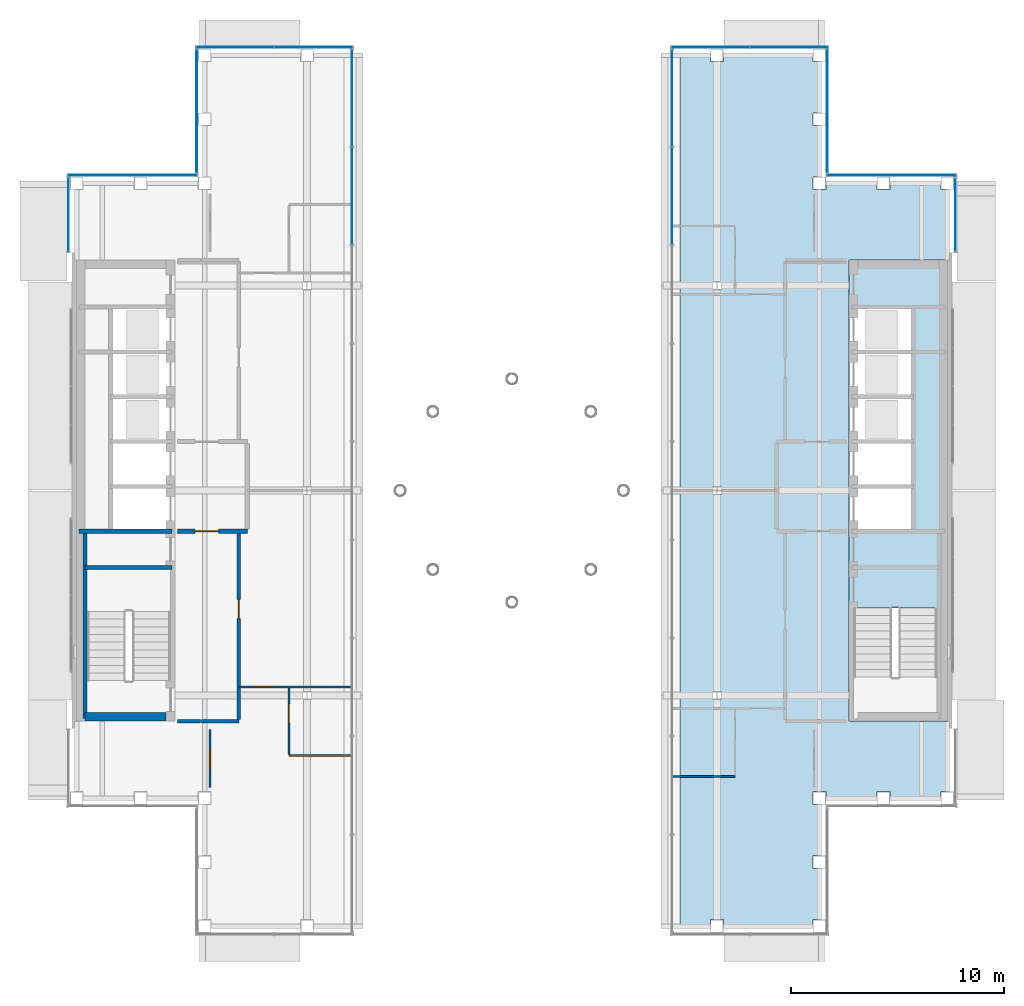
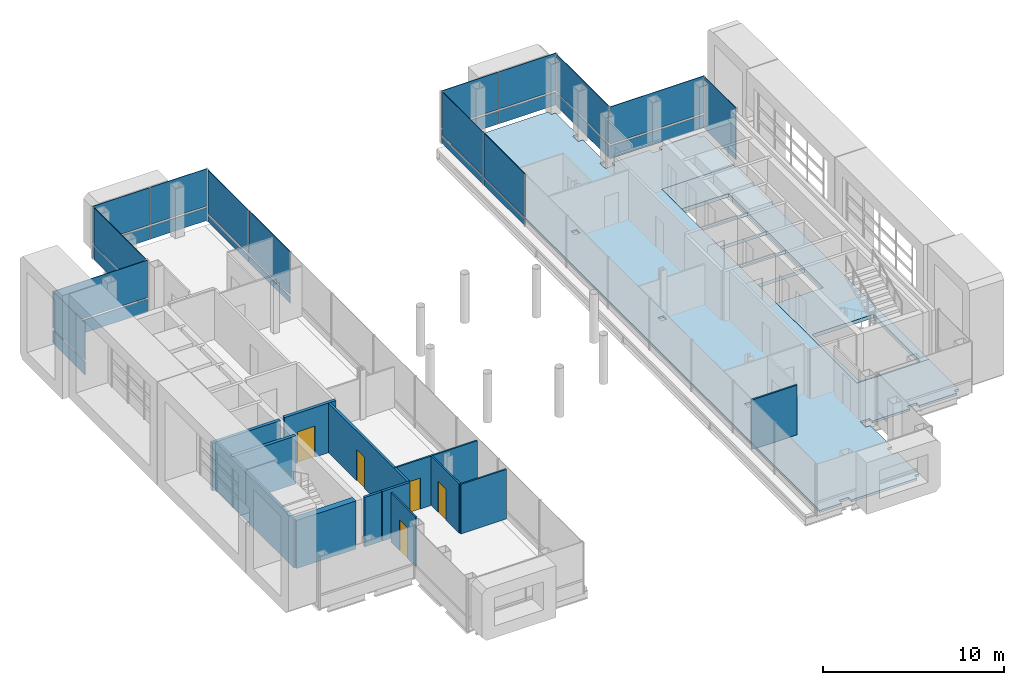
# One storey, part 10 of 21: 27 plates, 13 walls, 5 doors, 2 slabs, 5 openings, 10 elements without a shape of their own.
"""IFC4 building model written with IfcOpenShell, lengths in metres."""

import ifcopenshell
import ifcopenshell.guid

model = None  # the IFC model being written
_history = None  # IfcOwnerHistory: only IFC2X3 demands one
_inside = {}  # id of a spatial element -> (the spatial element, [elements in it])
_under = {}  # id of a project, library or spatial element -> (it, [spatial elements below it])
_declared = {}  # id of a project -> (the project, [libraries it declares])
_typed = {}  # id of a type object -> (the type object, [elements of that type])
_made_of = {}  # id of a material, layer set ... -> (it, [elements and type objects made of it])


def new_model(schema):
    """Start an empty IFC model of exactly this schema.

    Asked for "IFC4X3", IfcOpenShell would pick the latest addendum, in which some entities
    have other attributes; the version numbers below select the first issue.
    IFC2X3 requires an IfcOwnerHistory on every rooted entity: one is made here for all.
    """
    global model, _history
    if schema == "IFC4X3":
        model = ifcopenshell.file(schema_version=(4, 3, 0, 0))
    else:
        model = ifcopenshell.file(schema=schema)
    _inside.clear()
    _under.clear()
    _declared.clear()
    _typed.clear()
    _made_of.clear()
    _history = None
    if model.schema == "IFC2X3":
        org = make("IfcOrganization", Name="unknown")
        user = make(
            "IfcPersonAndOrganization",
            ThePerson=make("IfcPerson", FamilyName="unknown"),
            TheOrganization=org,
        )
        app = make(
            "IfcApplication",
            ApplicationDeveloper=org,
            Version="unknown",
            ApplicationFullName="unknown",
            ApplicationIdentifier="unknown",
        )
        _history = make(
            "IfcOwnerHistory",
            OwningUser=user,
            OwningApplication=app,
            ChangeAction="ADDED",
            CreationDate=0,
        )
    return model


def make(cls, **values):
    """One entity of the class cls with the attributes given. An attribute that is None is left unset."""
    return model.create_entity(
        cls, **{name: value for name, value in values.items() if value is not None}
    )


def rooted(cls, **values):
    """An entity with a GlobalId (a new one), such as an element, a storey or a relation."""
    return make(cls, GlobalId=ifcopenshell.guid.new(), OwnerHistory=_history, **values)


def si_unit(unit_type, name, prefix=None):
    """IfcSIUnit, for example si_unit("LENGTHUNIT", "METRE", prefix="MILLI")."""
    return make("IfcSIUnit", UnitType=unit_type, Prefix=prefix, Name=name)


def assignment(units):
    """IfcUnitAssignment: the units of a project."""
    return None if units is None else make("IfcUnitAssignment", Units=units)


def point(xyz):
    """IfcCartesianPoint."""
    return None if xyz is None else make("IfcCartesianPoint", Coordinates=xyz)


def direction(xyz):
    """IfcDirection."""
    return None if xyz is None else make("IfcDirection", DirectionRatios=xyz)


def frame(location, z_axis=None, x_axis=None):
    """IfcAxis2Placement3D, a coordinate frame: its origin and axes. An axis left out is left unset."""
    return make(
        "IfcAxis2Placement3D",
        Location=point(location),
        Axis=direction(z_axis),
        RefDirection=direction(x_axis),
    )


def frame_2d(location, x_axis=None):
    """IfcAxis2Placement2D, a coordinate frame in the plane: its origin and x axis."""
    return make(
        "IfcAxis2Placement2D", Location=point(location), RefDirection=direction(x_axis)
    )


def origin():
    """The frame at (0, 0, 0) with its axes left unset."""
    return frame((0.0, 0.0, 0.0))


def origin_2d():
    """The frame at (0, 0) in the plane with its x axis left unset."""
    return frame_2d((0.0, 0.0))


def place(relative_to, where):
    """IfcLocalPlacement: puts the frame where relative to a parent placement (None: the world)."""
    return make(
        "IfcLocalPlacement", PlacementRelTo=relative_to, RelativePlacement=where
    )


def context(
    kind, dimensions, precision=None, world=None, true_north=None, identifier=None
):
    """IfcGeometricRepresentationContext, for example the 3D "Model" context."""
    return make(
        "IfcGeometricRepresentationContext",
        ContextIdentifier=identifier,
        ContextType=kind,
        CoordinateSpaceDimension=dimensions,
        Precision=precision,
        WorldCoordinateSystem=world,
        TrueNorth=true_north,
    )


def subcontext(parent, identifier, kind, view, scale=None):
    """IfcGeometricRepresentationSubContext, for example "Body" below "Model"."""
    return make(
        "IfcGeometricRepresentationSubContext",
        ContextIdentifier=identifier,
        ContextType=kind,
        ParentContext=parent,
        TargetScale=scale,
        TargetView=view,
    )


def project(units=None, contexts=None):
    """IfcProject with its units and contexts."""
    return rooted(
        "IfcProject",
        Name="project",
        RepresentationContexts=contexts,
        UnitsInContext=assignment(units),
    )


def spatial(cls, under=None, at=None, **own):
    """A site, building, storey or space (cls), placed at a placement, below another one or the project."""
    s = rooted(cls, ObjectPlacement=at, **own)
    if under is not None:
        _under.setdefault(under.id(), (under, []))[1].append(s)
    return s


def polyline(points):
    """IfcPolyline through the points."""
    return make("IfcPolyline", Points=[point(p) for p in points])


def profile(cls, at=None, kind="AREA", **sizes):
    """A parametric profile (cls). Its sizes go by their IFC names, for example OverallWidth=200.0."""
    return make(cls, ProfileType=kind, Position=at, **sizes)


def rectangle(**sizes):
    """IfcRectangleProfileDef."""
    return profile("IfcRectangleProfileDef", **sizes)


def outline(outer, holes=None, kind="AREA"):
    """IfcArbitraryClosedProfileDef: a profile drawn as a closed curve; with holes, ...WithVoids."""
    if holes is None:
        return make("IfcArbitraryClosedProfileDef", ProfileType=kind, OuterCurve=outer)
    return make(
        "IfcArbitraryProfileDefWithVoids",
        ProfileType=kind,
        OuterCurve=outer,
        InnerCurves=holes,
    )


def extrude(swept, where, along, depth):
    """IfcExtrudedAreaSolid: the profile swept, set in the frame where, extruded along a direction by depth."""
    return make(
        "IfcExtrudedAreaSolid",
        SweptArea=swept,
        Position=where,
        ExtrudedDirection=direction(along),
        Depth=depth,
    )


def shape(context_of_items, identifier, shape_type, items):
    """IfcShapeRepresentation: the items that make up one representation, for example the "Body"."""
    return make(
        "IfcShapeRepresentation",
        ContextOfItems=context_of_items,
        RepresentationIdentifier=identifier,
        RepresentationType=shape_type,
        Items=items,
    )


def material(Name=None, Category=None):
    """IfcMaterial."""
    return make("IfcMaterial", Name=Name, Category=Category)


def layer(
    of_material, thickness, ventilated=None, Name=None, Category=None, Priority=None
):
    """IfcMaterialLayer: one layer of a wall or slab, of a material (None: an air gap)."""
    return make(
        "IfcMaterialLayer",
        Material=of_material,
        LayerThickness=thickness,
        IsVentilated=ventilated,
        Name=Name,
        Category=Category,
        Priority=Priority,
    )


def layer_set(layers, Name=None):
    """IfcMaterialLayerSet."""
    return make("IfcMaterialLayerSet", MaterialLayers=layers, LayerSetName=Name)


def made_of(thing, what):
    """Note that an element or type object is made of a material, layer set ...; save() writes the relation."""
    if what is not None:
        _made_of.setdefault(what.id(), (what, []))[1].append(thing)
    return thing


def type_object(cls, material=None, **own):
    """A type object (cls), such as IfcWallType, which elements share."""
    return made_of(rooted(cls, **own), material)


def element(
    cls,
    number,
    at=None,
    inside=None,
    cuts=None,
    type_object=None,
    material=None,
    context=None,
    identifier="Body",
    shape_type=None,
    held_by="IfcProductDefinitionShape",
    body=None,
    shapes=None,
    **own,
):
    """One element of the class cls, such as IfcWall. Its Tag is "e" and its number.

    at: its placement. inside: the storey or other place that contains it. cuts: it is an
    opening in that element (IfcRelVoidsElement). A single representation is given by context,
    identifier, shape_type and body (its items); several are given by shapes. held_by: the class
    of the entity that holds the representations. save() writes the other relations.
    """
    e = rooted(cls, Tag="e%d" % number, ObjectPlacement=at, **own)
    if body is not None:
        shapes = [shape(context, identifier, shape_type, body)]
    if shapes is not None:
        e.Representation = make(held_by, Representations=shapes)
    if inside is not None:
        _inside.setdefault(inside.id(), (inside, []))[1].append(e)
    if cuts is not None:
        rooted(
            "IfcRelVoidsElement", RelatingBuildingElement=cuts, RelatedOpeningElement=e
        )
    if type_object is not None:
        _typed.setdefault(type_object.id(), (type_object, []))[1].append(e)
    return made_of(e, material)


def fill(opening, filler):
    """IfcRelFillsElement: the door or window that sits in an opening."""
    return rooted(
        "IfcRelFillsElement",
        RelatingOpeningElement=opening,
        RelatedBuildingElement=filler,
    )


def aggregate(whole, parts):
    """IfcRelAggregates: a whole, such as a stair, and the parts it consists of."""
    return rooted("IfcRelAggregates", RelatingObject=whole, RelatedObjects=parts)


def save(model, path):
    """Write the relations noted so far, then the file.

    IfcRelAggregates (storeys below a building ...), IfcRelContainedInSpatialStructure (elements
    in a storey), IfcRelDefinesByType, IfcRelAssociatesMaterial and IfcRelDeclares: one each for
    every whole, place, type object, material and project.
    """
    for whole, parts in _under.values():
        aggregate(whole, parts)
    for where, things in _inside.values():
        rooted(
            "IfcRelContainedInSpatialStructure",
            RelatedElements=things,
            RelatingStructure=where,
        )
    for kind, things in _typed.values():
        rooted("IfcRelDefinesByType", RelatedObjects=things, RelatingType=kind)
    for what, things in _made_of.values():
        rooted("IfcRelAssociatesMaterial", RelatedObjects=things, RelatingMaterial=what)
    for by, libraries in _declared.values():
        rooted("IfcRelDeclares", RelatingContext=by, RelatedDefinitions=libraries)
    model.write(path)


model = new_model("IFC4")

# Units and contexts
model_context = context("Model", 3, precision=1e-05, world=origin(), true_north=direction((0.0, 1.0)))
body_context = subcontext(model_context, "Body", "Model", "MODEL_VIEW")
ifc_project = project(units=[si_unit("LENGTHUNIT", "METRE"), si_unit("AREAUNIT", "SQUARE_METRE"), si_unit("VOLUMEUNIT", "CUBIC_METRE"), si_unit("PLANEANGLEUNIT", "RADIAN"), si_unit("MASSUNIT", "GRAM", prefix="KILO")], contexts=[model_context])

# Site, building, storey
site_placement = place(None, origin())
site = spatial("IfcSite", under=ifc_project, at=site_placement, CompositionType="ELEMENT")
building_placement = place(site_placement, origin())
building = spatial("IfcBuilding", under=site, at=building_placement, Name="Cobrizo Arcos Hotel Tower", CompositionType="ELEMENT")
storey_placement = place(building_placement, frame((0.0, 0.0, 269.0)))
storey = spatial("IfcBuildingStorey", under=building, at=storey_placement, Name="L71", CompositionType="ELEMENT", Elevation=269.0)

# Curtain wall, plates
ifc_material_1 = material(Name="Aluminium 6063-T6 anodised bronze", Category="aluminium")
curtain_wall_type_1 = type_object("IfcCurtainWallType", Name="CW-A guest facade", PredefinedType="NOTDEFINED", material=ifc_material_1)
curtain_wall_1_placement = place(storey_placement, origin())
curtain_wall_1 = element("IfcCurtainWall", 1, at=curtain_wall_1_placement, inside=storey, type_object=curtain_wall_type_1, Name="CW-A L71 N face", PredefinedType="NOTDEFINED")
ifc_material_2 = material(Name="Glass clear laminated low-e", Category="glass")
ifc_layer_1 = layer(ifc_material_2, 0.0400390625)
ifc_layer_set_1 = layer_set([ifc_layer_1], Name="CW-A glass panel")
plate_type_1 = type_object("IfcPlateType", Name="CW-A glass panel", PredefinedType="CURTAIN_PANEL", material=ifc_layer_set_1)
plate_1_placement = place(storey_placement, frame((12.97802734375, 20.77490234375, 0.990234375), z_axis=(0.0, 0.0, 1.0), x_axis=(-1.0, 0.0, 0.0)))
plate_1 = element("IfcPlate", 2, at=plate_1_placement, type_object=plate_type_1, Name="CW-A glass panel 2218", PredefinedType="CURTAIN_PANEL", context=body_context, shape_type="SweptSolid", body=[
    extrude(rectangle(XDim=3.6240234375, YDim=0.0400390625, at=origin_2d()), origin(), (0.0, 0.0, 1.0), 2.510009765625),
])
plate_2_placement = place(storey_placement, frame((9.294189453125, 20.77490234375, 0.990234375), z_axis=(0.0, 0.0, 1.0), x_axis=(-1.0, 0.0, 0.0)))
plate_2 = element("IfcPlate", 3, at=plate_2_placement, type_object=plate_type_1, Name="CW-A glass panel 2219", PredefinedType="CURTAIN_PANEL", context=body_context, shape_type="SweptSolid", body=[
    extrude(rectangle(XDim=3.6240234375, YDim=0.0400390625, at=origin_2d()), origin(), (0.0, 0.0, 1.0), 2.510009765625),
])

# Curtain wall, plate
curtain_wall_2_placement = place(storey_placement, origin())
curtain_wall_2 = element("IfcCurtainWall", 4, at=curtain_wall_2_placement, inside=storey, type_object=curtain_wall_type_1, Name="CW-A L71 N face", PredefinedType="NOTDEFINED")
plate_3_placement = place(storey_placement, frame((17.77490234375, 14.77490234375, 0.990234375), z_axis=(0.0, 0.0, 1.0), x_axis=(-1.0, 0.0, 0.0)))
plate_3 = element("IfcPlate", 5, at=plate_3_placement, type_object=plate_type_1, Name="CW-A glass panel 2235", PredefinedType="CURTAIN_PANEL", context=body_context, shape_type="SweptSolid", body=[
    extrude(rectangle(XDim=6.030029296875, YDim=0.0400390625, at=origin_2d()), origin(), (0.0, 0.0, 1.0), 2.510009765625),
])

curtain_wall_3_placement = place(storey_placement, origin())
curtain_wall_3 = element("IfcCurtainWall", 6, at=curtain_wall_3_placement, inside=storey, type_object=curtain_wall_type_1, Name="CW-A L71 E face", PredefinedType="NOTDEFINED")
plate_4_placement = place(storey_placement, frame((14.77490234375, 17.77490234375, 0.990234375), z_axis=(0.0, 0.0, 1.0), x_axis=(0.0, 1.0, 0.0)))
plate_4 = element("IfcPlate", 7, at=plate_4_placement, type_object=plate_type_1, Name="CW-A glass panel 2236", PredefinedType="CURTAIN_PANEL", context=body_context, shape_type="SweptSolid", body=[
    extrude(rectangle(XDim=5.72998046875, YDim=0.0400390625, at=origin_2d()), origin(), (0.0, 0.0, 1.0), 2.510009765625),
])

# Curtain wall, plates
curtain_wall_4_placement = place(storey_placement, origin())
curtain_wall_4 = element("IfcCurtainWall", 8, at=curtain_wall_4_placement, inside=storey, type_object=curtain_wall_type_1, Name="CW-A L71 N face", PredefinedType="NOTDEFINED")
plate_5_placement = place(storey_placement, frame((-9.294189453125, 20.77490234375, 0.990234375), z_axis=(0.0, 0.0, 1.0), x_axis=(-1.0, 0.0, 0.0)))
plate_5 = element("IfcPlate", 9, at=plate_5_placement, type_object=plate_type_1, Name="CW-A glass panel 2248", PredefinedType="CURTAIN_PANEL", context=body_context, shape_type="SweptSolid", body=[
    extrude(rectangle(XDim=3.6240234375, YDim=0.0400390625, at=origin_2d()), origin(), (0.0, 0.0, 1.0), 2.510009765625),
])
plate_6_placement = place(storey_placement, frame((-12.97802734375, 20.77490234375, 0.990234375), z_axis=(0.0, 0.0, 1.0), x_axis=(-1.0, 0.0, 0.0)))
plate_6 = element("IfcPlate", 10, at=plate_6_placement, type_object=plate_type_1, Name="CW-A glass panel 2249", PredefinedType="CURTAIN_PANEL", context=body_context, shape_type="SweptSolid", body=[
    extrude(rectangle(XDim=3.6240234375, YDim=0.0400390625, at=origin_2d()), origin(), (0.0, 0.0, 1.0), 2.510009765625),
])

# Curtain wall, plate
curtain_wall_5_placement = place(storey_placement, origin())
curtain_wall_5 = element("IfcCurtainWall", 11, at=curtain_wall_5_placement, inside=storey, type_object=curtain_wall_type_1, Name="CW-A L71 W face", PredefinedType="NOTDEFINED")
plate_7_placement = place(storey_placement, frame((-14.77490234375, 17.77490234375, 0.990234375), z_axis=(0.0, 0.0, 1.0), x_axis=(0.0, -1.0, 0.0)))
plate_7 = element("IfcPlate", 12, at=plate_7_placement, type_object=plate_type_1, Name="CW-A glass panel 2250", PredefinedType="CURTAIN_PANEL", context=body_context, shape_type="SweptSolid", body=[
    extrude(rectangle(XDim=5.72998046875, YDim=0.0400390625, at=origin_2d()), origin(), (0.0, 0.0, 1.0), 2.510009765625),
])

curtain_wall_6_placement = place(storey_placement, origin())
curtain_wall_6 = element("IfcCurtainWall", 13, at=curtain_wall_6_placement, inside=storey, type_object=curtain_wall_type_1, Name="CW-A L71 N face", PredefinedType="NOTDEFINED")
plate_8_placement = place(storey_placement, frame((-17.77490234375, 14.77490234375, 0.990234375), z_axis=(0.0, 0.0, 1.0), x_axis=(-1.0, 0.0, 0.0)))
plate_8 = element("IfcPlate", 14, at=plate_8_placement, type_object=plate_type_1, Name="CW-A glass panel 2251", PredefinedType="CURTAIN_PANEL", context=body_context, shape_type="SweptSolid", body=[
    extrude(rectangle(XDim=6.030029296875, YDim=0.0400390625, at=origin_2d()), origin(), (0.0, 0.0, 1.0), 2.510009765625),
])

curtain_wall_7_placement = place(storey_placement, origin())
curtain_wall_7 = element("IfcCurtainWall", 15, at=curtain_wall_7_placement, inside=storey, type_object=curtain_wall_type_1, Name="CW-A L71 W face", PredefinedType="NOTDEFINED")
plate_9_placement = place(storey_placement, frame((-20.77490234375, 12.925048828125, 0.990234375), z_axis=(0.0, 0.0, 1.0), x_axis=(0.0, -1.0, 0.0)))
plate_9 = element("IfcPlate", 16, at=plate_9_placement, type_object=plate_type_1, Name="CW-A glass panel 2252", PredefinedType="CURTAIN_PANEL", context=body_context, shape_type="SweptSolid", body=[
    extrude(rectangle(XDim=3.429931640625, YDim=0.0400390625, at=origin_2d()), origin(), (0.0, 0.0, 1.0), 2.510009765625),
])

# Plate
ifc_material_3 = material(Name="Aluminium composite panel pale metal", Category="aluminium")
ifc_layer_2 = layer(ifc_material_3, 0.0400390625)
ifc_layer_set_2 = layer_set([ifc_layer_2], Name="CW-A spandrel panel")
plate_type_2 = type_object("IfcPlateType", Name="CW-A spandrel panel", PredefinedType="CURTAIN_PANEL", material=ifc_layer_set_2)
plate_10_placement = place(storey_placement, frame((12.97802734375, 20.77490234375, 0.0), z_axis=(0.0, 0.0, 1.0), x_axis=(-1.0, 0.0, 0.0)))
plate_10 = element("IfcPlate", 17, at=plate_10_placement, type_object=plate_type_2, Name="CW-A spandrel panel 2218", PredefinedType="CURTAIN_PANEL", context=body_context, shape_type="SweptSolid", body=[
    extrude(rectangle(XDim=3.6240234375, YDim=0.0400390625, at=origin_2d()), origin(), (0.0, 0.0, 1.0), 0.8701171875),
])

plate_11_placement = place(storey_placement, frame((9.294189453125, 20.77490234375, 0.0), z_axis=(0.0, 0.0, 1.0), x_axis=(-1.0, 0.0, 0.0)))
plate_11 = element("IfcPlate", 18, at=plate_11_placement, type_object=plate_type_2, Name="CW-A spandrel panel 2219", PredefinedType="CURTAIN_PANEL", context=body_context, shape_type="SweptSolid", body=[
    extrude(rectangle(XDim=3.6240234375, YDim=0.0400390625, at=origin_2d()), origin(), (0.0, 0.0, 1.0), 0.8701171875),
])

aggregate(curtain_wall_1, [plate_10, plate_1, plate_11, plate_2])

# Curtain wall, plate
curtain_wall_8_placement = place(storey_placement, origin())
curtain_wall_8 = element("IfcCurtainWall", 19, at=curtain_wall_8_placement, inside=storey, type_object=curtain_wall_type_1, Name="CW-A L71 E face", PredefinedType="NOTDEFINED")
plate_12_placement = place(storey_placement, frame((20.77490234375, 12.925048828125, 0.0), z_axis=(0.0, 0.0, 1.0), x_axis=(0.0, 1.0, 0.0)))
plate_12 = element("IfcPlate", 20, at=plate_12_placement, type_object=plate_type_2, Name="CW-A spandrel panel 2234", PredefinedType="CURTAIN_PANEL", context=body_context, shape_type="SweptSolid", body=[
    extrude(rectangle(XDim=3.429931640625, YDim=0.0400390625, at=origin_2d()), origin(), (0.0, 0.0, 1.0), 3.5),
])
aggregate(curtain_wall_8, [plate_12])

# Plate
plate_13_placement = place(storey_placement, frame((17.77490234375, 14.77490234375, 0.0), z_axis=(0.0, 0.0, 1.0), x_axis=(-1.0, 0.0, 0.0)))
plate_13 = element("IfcPlate", 21, at=plate_13_placement, type_object=plate_type_2, Name="CW-A spandrel panel 2235", PredefinedType="CURTAIN_PANEL", context=body_context, shape_type="SweptSolid", body=[
    extrude(rectangle(XDim=6.030029296875, YDim=0.0400390625, at=origin_2d()), origin(), (0.0, 0.0, 1.0), 0.8701171875),
])

aggregate(curtain_wall_2, [plate_13, plate_3])

plate_14_placement = place(storey_placement, frame((14.77490234375, 17.77490234375, 0.0), z_axis=(0.0, 0.0, 1.0), x_axis=(0.0, 1.0, 0.0)))
plate_14 = element("IfcPlate", 22, at=plate_14_placement, type_object=plate_type_2, Name="CW-A spandrel panel 2236", PredefinedType="CURTAIN_PANEL", context=body_context, shape_type="SweptSolid", body=[
    extrude(rectangle(XDim=5.72998046875, YDim=0.0400390625, at=origin_2d()), origin(), (0.0, 0.0, 1.0), 0.8701171875),
])

aggregate(curtain_wall_3, [plate_14, plate_4])

plate_15_placement = place(storey_placement, frame((-9.294189453125, 20.77490234375, 0.0), z_axis=(0.0, 0.0, 1.0), x_axis=(-1.0, 0.0, 0.0)))
plate_15 = element("IfcPlate", 23, at=plate_15_placement, type_object=plate_type_2, Name="CW-A spandrel panel 2248", PredefinedType="CURTAIN_PANEL", context=body_context, shape_type="SweptSolid", body=[
    extrude(rectangle(XDim=3.6240234375, YDim=0.0400390625, at=origin_2d()), origin(), (0.0, 0.0, 1.0), 0.8701171875),
])

plate_16_placement = place(storey_placement, frame((-12.97802734375, 20.77490234375, 0.0), z_axis=(0.0, 0.0, 1.0), x_axis=(-1.0, 0.0, 0.0)))
plate_16 = element("IfcPlate", 24, at=plate_16_placement, type_object=plate_type_2, Name="CW-A spandrel panel 2249", PredefinedType="CURTAIN_PANEL", context=body_context, shape_type="SweptSolid", body=[
    extrude(rectangle(XDim=3.6240234375, YDim=0.0400390625, at=origin_2d()), origin(), (0.0, 0.0, 1.0), 0.8701171875),
])

aggregate(curtain_wall_4, [plate_15, plate_5, plate_16, plate_6])

plate_17_placement = place(storey_placement, frame((-14.77490234375, 17.77490234375, 0.0), z_axis=(0.0, 0.0, 1.0), x_axis=(0.0, -1.0, 0.0)))
plate_17 = element("IfcPlate", 25, at=plate_17_placement, type_object=plate_type_2, Name="CW-A spandrel panel 2250", PredefinedType="CURTAIN_PANEL", context=body_context, shape_type="SweptSolid", body=[
    extrude(rectangle(XDim=5.72998046875, YDim=0.0400390625, at=origin_2d()), origin(), (0.0, 0.0, 1.0), 0.8701171875),
])

aggregate(curtain_wall_5, [plate_17, plate_7])

plate_18_placement = place(storey_placement, frame((-17.77490234375, 14.77490234375, 0.0), z_axis=(0.0, 0.0, 1.0), x_axis=(-1.0, 0.0, 0.0)))
plate_18 = element("IfcPlate", 26, at=plate_18_placement, type_object=plate_type_2, Name="CW-A spandrel panel 2251", PredefinedType="CURTAIN_PANEL", context=body_context, shape_type="SweptSolid", body=[
    extrude(rectangle(XDim=6.030029296875, YDim=0.0400390625, at=origin_2d()), origin(), (0.0, 0.0, 1.0), 0.8701171875),
])

aggregate(curtain_wall_6, [plate_18, plate_8])

plate_19_placement = place(storey_placement, frame((-20.77490234375, 12.925048828125, 0.0), z_axis=(0.0, 0.0, 1.0), x_axis=(0.0, -1.0, 0.0)))
plate_19 = element("IfcPlate", 27, at=plate_19_placement, type_object=plate_type_2, Name="CW-A spandrel panel 2252", PredefinedType="CURTAIN_PANEL", context=body_context, shape_type="SweptSolid", body=[
    extrude(rectangle(XDim=3.429931640625, YDim=0.0400390625, at=origin_2d()), origin(), (0.0, 0.0, 1.0), 0.8701171875),
])

aggregate(curtain_wall_7, [plate_19, plate_9])

# Curtain wall, plates
curtain_wall_type_2 = type_object("IfcCurtainWallType", Name="CW-C arch infill and crown glazing", PredefinedType="NOTDEFINED", material=ifc_material_1)
curtain_wall_9_placement = place(storey_placement, origin())
curtain_wall_9 = element("IfcCurtainWall", 28, at=curtain_wall_9_placement, inside=storey, type_object=curtain_wall_type_2, Name="CW-C L71 W face", PredefinedType="NOTDEFINED")
ifc_layer_3 = layer(ifc_material_2, 0.0400390625)
ifc_layer_set_3 = layer_set([ifc_layer_3], Name="CW-C glass panel")
plate_type_3 = type_object("IfcPlateType", Name="CW-C glass panel", PredefinedType="CURTAIN_PANEL", material=ifc_layer_set_3)
plate_20_placement = place(storey_placement, frame((7.4970703125, 18.382568359375, 0.0), z_axis=(0.0, 0.0, 1.0), x_axis=(0.0, -1.0, 0.0)))
plate_20 = element("IfcPlate", 29, at=plate_20_placement, type_object=plate_type_3, Name="CW-C glass panel 2220", PredefinedType="CURTAIN_PANEL", context=body_context, shape_type="SweptSolid", body=[
    extrude(rectangle(XDim=4.4951171875, YDim=0.0400390625, at=origin_2d()), origin(), (0.0, 0.0, 1.0), 0.429931640625),
])
plate_21_placement = place(storey_placement, frame((7.4970703125, 18.382568359375, 0.56982421875), z_axis=(0.0, 0.0, 1.0), x_axis=(0.0, -1.0, 0.0)))
plate_21 = element("IfcPlate", 30, at=plate_21_placement, type_object=plate_type_3, Name="CW-C glass panel 2220", PredefinedType="CURTAIN_PANEL", context=body_context, shape_type="SweptSolid", body=[
    extrude(rectangle(XDim=4.4951171875, YDim=0.0400390625, at=origin_2d()), origin(), (0.0, 0.0, 1.0), 2.929931640625),
])
plate_22_placement = place(storey_placement, frame((7.4970703125, 13.800048828125, 0.0), z_axis=(0.0, 0.0, 1.0), x_axis=(0.0, -1.0, 0.0)))
plate_22 = element("IfcPlate", 31, at=plate_22_placement, type_object=plate_type_3, Name="CW-C glass panel 2221", PredefinedType="CURTAIN_PANEL", context=body_context, shape_type="SweptSolid", body=[
    extrude(rectangle(XDim=4.530029296875, YDim=0.0400390625, at=origin_2d()), origin(), (0.0, 0.0, 1.0), 0.429931640625),
])
plate_23_placement = place(storey_placement, frame((7.4970703125, 13.800048828125, 0.56982421875), z_axis=(0.0, 0.0, 1.0), x_axis=(0.0, -1.0, 0.0)))
plate_23 = element("IfcPlate", 32, at=plate_23_placement, type_object=plate_type_3, Name="CW-C glass panel 2221", PredefinedType="CURTAIN_PANEL", context=body_context, shape_type="SweptSolid", body=[
    extrude(rectangle(XDim=4.530029296875, YDim=0.0400390625, at=origin_2d()), origin(), (0.0, 0.0, 1.0), 2.929931640625),
])
aggregate(curtain_wall_9, [plate_20, plate_21, plate_22, plate_23])

curtain_wall_10_placement = place(storey_placement, origin())
curtain_wall_10 = element("IfcCurtainWall", 33, at=curtain_wall_10_placement, inside=storey, type_object=curtain_wall_type_2, Name="CW-C L71 E face", PredefinedType="NOTDEFINED")
plate_24_placement = place(storey_placement, frame((-7.4970703125, 13.800048828125, 0.0), z_axis=(0.0, 0.0, 1.0), x_axis=(0.0, 1.0, 0.0)))
plate_24 = element("IfcPlate", 34, at=plate_24_placement, type_object=plate_type_3, Name="CW-C glass panel 2246", PredefinedType="CURTAIN_PANEL", context=body_context, shape_type="SweptSolid", body=[
    extrude(rectangle(XDim=4.530029296875, YDim=0.0400390625, at=origin_2d()), origin(), (0.0, 0.0, 1.0), 0.429931640625),
])
plate_25_placement = place(storey_placement, frame((-7.4970703125, 13.800048828125, 0.56982421875), z_axis=(0.0, 0.0, 1.0), x_axis=(0.0, 1.0, 0.0)))
plate_25 = element("IfcPlate", 35, at=plate_25_placement, type_object=plate_type_3, Name="CW-C glass panel 2246", PredefinedType="CURTAIN_PANEL", context=body_context, shape_type="SweptSolid", body=[
    extrude(rectangle(XDim=4.530029296875, YDim=0.0400390625, at=origin_2d()), origin(), (0.0, 0.0, 1.0), 2.929931640625),
])
plate_26_placement = place(storey_placement, frame((-7.4970703125, 18.382568359375, 0.0), z_axis=(0.0, 0.0, 1.0), x_axis=(0.0, 1.0, 0.0)))
plate_26 = element("IfcPlate", 36, at=plate_26_placement, type_object=plate_type_3, Name="CW-C glass panel 2247", PredefinedType="CURTAIN_PANEL", context=body_context, shape_type="SweptSolid", body=[
    extrude(rectangle(XDim=4.4951171875, YDim=0.0400390625, at=origin_2d()), origin(), (0.0, 0.0, 1.0), 0.429931640625),
])
plate_27_placement = place(storey_placement, frame((-7.4970703125, 18.382568359375, 0.56982421875), z_axis=(0.0, 0.0, 1.0), x_axis=(0.0, 1.0, 0.0)))
plate_27 = element("IfcPlate", 37, at=plate_27_placement, type_object=plate_type_3, Name="CW-C glass panel 2247", PredefinedType="CURTAIN_PANEL", context=body_context, shape_type="SweptSolid", body=[
    extrude(rectangle(XDim=4.4951171875, YDim=0.0400390625, at=origin_2d()), origin(), (0.0, 0.0, 1.0), 2.929931640625),
])
aggregate(curtain_wall_10, [plate_24, plate_25, plate_26, plate_27])

# Slabs
ifc_material_4 = material(Name="Concrete f'c 35 MPa", Category="concrete")
ifc_layer_4 = layer(ifc_material_4, 0.14990234375)
ifc_layer_set_4 = layer_set([ifc_layer_4], Name="Composite floor slab 150 f'c 35")
slab_type_1 = type_object("IfcSlabType", Name="Composite floor slab 150 f'c 35", PredefinedType="FLOOR", material=ifc_layer_set_4)
slab_1_placement = place(storey_placement, frame((0.0, 0.0, -0.14990234375)))
element("IfcSlab", 38, at=slab_1_placement, inside=storey, type_object=slab_type_1, Name="Floor slab S5, L71, no. 02", PredefinedType="FLOOR", context=body_context, shape_type="SweptSolid", body=[
    extrude(outline(polyline([(14.39990234375, 17.699951171875), (14.10009765625, 17.699951171875), (14.10009765625, 17.10009765625), (14.39990234375, 17.10009765625), (14.39990234375, 14.699951171875), (14.10009765625, 14.699951171875), (14.10009765625, 14.10009765625), (14.699951171875, 14.10009765625), (14.699951171875, 14.39990234375), (17.10009765625, 14.39990234375), (17.10009765625, 14.10009765625), (17.699951171875, 14.10009765625), (17.699951171875, 14.39990234375), (20.10009765625, 14.39990234375), (20.10009765625, 14.10009765625), (20.39990234375, 14.10009765625), (20.39990234375, 10.800048828125), (15.800048828125, 10.800048828125), (15.800048828125, -10.800048828125), (20.39990234375, -10.800048828125), (20.39990234375, -14.10009765625), (20.10009765625, -14.10009765625), (20.10009765625, -14.39990234375), (17.699951171875, -14.39990234375), (17.699951171875, -14.10009765625), (17.10009765625, -14.10009765625), (17.10009765625, -14.39990234375), (14.699951171875, -14.39990234375), (14.699951171875, -14.10009765625), (14.10009765625, -14.10009765625), (14.10009765625, -14.699951171875), (14.39990234375, -14.699951171875), (14.39990234375, -17.10009765625), (14.10009765625, -17.10009765625), (14.10009765625, -17.699951171875), (14.39990234375, -17.699951171875), (14.39990234375, -20.10009765625), (14.10009765625, -20.10009765625), (14.10009765625, -20.39990234375), (9.89990234375, -20.39990234375), (9.89990234375, -20.10009765625), (9.300048828125, -20.10009765625), (9.300048828125, -20.39990234375), (7.8720703125, -20.39990234375), (7.8720703125, 20.39990234375), (9.300048828125, 20.39990234375), (9.300048828125, 20.10009765625), (9.89990234375, 20.10009765625), (9.89990234375, 20.39990234375), (14.10009765625, 20.39990234375), (14.10009765625, 20.10009765625), (14.39990234375, 20.10009765625), (14.39990234375, 17.699951171875)]), holes=[polyline([(9.7841796875, -9.7841796875), (9.7841796875, -9.415771484375), (9.415771484375, -9.415771484375), (9.415771484375, -9.7841796875), (9.7841796875, -9.7841796875)]), polyline([(9.7841796875, -0.18408203125), (9.7841796875, 0.18408203125), (9.415771484375, 0.18408203125), (9.415771484375, -0.18408203125), (9.7841796875, -0.18408203125)]), polyline([(9.7841796875, 9.415771484375), (9.7841796875, 9.7841796875), (9.415771484375, 9.7841796875), (9.415771484375, 9.415771484375), (9.7841796875, 9.415771484375)])]), origin(), (0.0, 0.0, 1.0), 0.14990234375),
])
ifc_material_5 = material(Name="Concrete f'c 40 MPa", Category="concrete")
ifc_layer_5 = layer(ifc_material_5, 0.25)
ifc_layer_set_5 = layer_set([ifc_layer_5], Name="RC core floor slab 250 f'c 40")
slab_type_2 = type_object("IfcSlabType", Name="RC core floor slab 250 f'c 40", PredefinedType="FLOOR", material=ifc_layer_set_5)
slab_2_placement = place(storey_placement, frame((0.0, 0.0, -0.25)))
element("IfcSlab", 39, at=slab_2_placement, inside=storey, type_object=slab_type_2, Name="Core floor slab CS7, east core, L71", PredefinedType="FLOOR", context=body_context, shape_type="SweptSolid", body=[
    extrude(outline(polyline([(15.800048828125, 10.800048828125), (20.39990234375, 10.800048828125), (20.39990234375, -10.800048828125), (15.800048828125, -10.800048828125), (15.800048828125, 10.800048828125)]), holes=[polyline([(19.89794921875, -10.697998046875), (19.89794921875, -5.501953125), (16.001953125, -5.501953125), (16.001953125, -10.697998046875), (19.89794921875, -10.697998046875)]), polyline([(15.802001953125, 0.197998046875), (15.802001953125, -1.89794921875), (18.798095703125, -1.89794921875), (18.798095703125, 0.197998046875), (15.802001953125, 0.197998046875)]), polyline([(15.802001953125, 2.298095703125), (15.802001953125, 0.201904296875), (18.798095703125, 0.201904296875), (18.798095703125, 2.298095703125), (15.802001953125, 2.298095703125)]), polyline([(15.802001953125, 4.39794921875), (15.802001953125, 2.302001953125), (18.798095703125, 2.302001953125), (18.798095703125, 4.39794921875), (15.802001953125, 4.39794921875)]), polyline([(18.798095703125, 6.498046875), (15.802001953125, 6.498046875), (15.802001953125, 4.402099609375), (18.798095703125, 4.402099609375), (18.798095703125, 6.498046875)]), polyline([(18.798095703125, 8.597900390625), (15.802001953125, 8.597900390625), (15.802001953125, 6.501953125), (18.798095703125, 6.501953125), (18.798095703125, 8.597900390625)])]), origin(), (0.0, 0.0, 1.0), 0.25),
])

# Walls
ifc_material_6 = material(Name="Gypsum board partition")
ifc_layer_6 = layer(ifc_material_6, 0.14990234375)
ifc_layer_set_6 = layer_set([ifc_layer_6], Name="Corridor wall EI 60 150")
wall_type_1 = type_object("IfcWallType", Name="Corridor wall EI 60 150", PredefinedType="PARTITIONING", material=ifc_layer_set_6)
wall_1_placement = place(storey_placement, frame((-15.679931640625, -10.800048828125, 0.0), z_axis=(0.0, 0.0, 1.0), x_axis=(1.0, 0.0, 0.0)))
element("IfcWall", 40, at=wall_1_placement, inside=storey, type_object=wall_type_1, Name="Partition 003", PredefinedType="PARTITIONING", context=body_context, shape_type="SweptSolid", body=[
    extrude(rectangle(XDim=1.079833984375, YDim=0.14990234375, at=frame_2d((0.5400390625, 0.0))), origin(), (0.0, 0.0, 1.0), 3.35009765625),
])
wall_2_placement = place(storey_placement, frame((-14.550048828125, -10.800048828125, 0.0), z_axis=(0.0, 0.0, 1.0), x_axis=(1.0, 0.0, 0.0)))
element("IfcWall", 41, at=wall_2_placement, inside=storey, type_object=wall_type_1, Name="Partition 004", PredefinedType="PARTITIONING", context=body_context, shape_type="SweptSolid", body=[
    extrude(rectangle(XDim=1.75, YDim=0.14990234375, at=frame_2d((0.875, 0.0))), origin(), (0.0, 0.0, 1.0), 3.35009765625),
])

# Wall, opening, door
wall_3_placement = place(storey_placement, frame((-12.800048828125, -10.72509765625, 0.0), z_axis=(0.0, 0.0, 1.0), x_axis=(0.0, 1.0, 0.0)))
wall_3 = element("IfcWall", 42, at=wall_3_placement, inside=storey, type_object=wall_type_1, Name="Partition 048", PredefinedType="PARTITIONING", context=body_context, shape_type="SweptSolid", body=[
    extrude(rectangle(XDim=8.72509765625, YDim=0.14990234375, at=frame_2d((4.362548828125, 0.0))), origin(), (0.0, 0.0, 1.0), 3.35009765625),
])
opening_1_placement = place(wall_3_placement, frame((4.735107421875, 0.0, 0.0)))
opening_1 = element("IfcOpeningElement", 43, at=opening_1_placement, cuts=wall_3, Name="Opening RD-12", PredefinedType="OPENING", context=body_context, shape_type="SweptSolid", body=[
    extrude(rectangle(XDim=0.89990234375, YDim=2.10009765625, at=frame_2d((0.449951171875, 1.050048828125))), frame((0.0, 0.0869140625, 0.0), z_axis=(0.0, -1.0, 0.0), x_axis=(1.0, 0.0, 0.0)), (0.0, 0.0, 1.0), 0.173828125),
])
ifc_material_7 = material(Name="Timber door leaf", Category="wood")
door_type_1 = type_object("IfcDoorType", Name="Room door FD30 900x2100", OperationType="SINGLE_SWING_LEFT", PredefinedType="DOOR", material=ifc_material_7)
door_1_placement = place(opening_1_placement, origin())
door_1 = element("IfcDoor", 44, at=door_1_placement, inside=storey, type_object=door_type_1, Name="Door RD-12", OperationType="SINGLE_SWING_LEFT", OverallHeight=2.10009765625, OverallWidth=0.89990234375, PredefinedType="DOOR", context=body_context, shape_type="SweptSolid", body=[
    extrude(rectangle(XDim=0.89990234375, YDim=2.10009765625, at=frame_2d((0.449951171875, 1.050048828125))), frame((0.0, 0.02490234375, 0.0), z_axis=(0.0, -1.0, 0.0), x_axis=(1.0, 0.0, 0.0)), (0.0, 0.0, 1.0), 0.050048828125),
])
fill(opening_1, door_1)

# Walls
ifc_layer_7 = layer(ifc_material_6, 0.10009765625)
ifc_layer_set_7 = layer_set([ifc_layer_7], Name="Partition EI 30 100")
wall_type_2 = type_object("IfcWallType", Name="Partition EI 30 100", PredefinedType="PARTITIONING", material=ifc_layer_set_7)
for number, where, z_axis, x_axis, name in (
    (45, (7.5419921875, -13.39990234375, 0.0), (0.0, 0.0, 1.0), (1.0, 0.0, 0.0), "Partition 001"),
    (46, (-10.449951171875, -12.39990234375, 0.0), (0.0, 0.0, 1.0), (1.0, 0.0, 0.0), "Partition 002"),
):
    element("IfcWall", number, at=place(storey_placement, frame(where, z_axis=z_axis, x_axis=x_axis)), inside=storey, type_object=wall_type_2, Name=name, PredefinedType="PARTITIONING", context=body_context, shape_type="SweptSolid", body=[
        extrude(rectangle(XDim=2.907958984375, YDim=0.10009765625, at=frame_2d((1.4541015625, 0.0))), origin(), (0.0, 0.0, 1.0), 3.35009765625),
    ])

# Wall, opening, door
wall_4_placement = place(storey_placement, frame((-12.800048828125, -9.199951171875, 0.0), z_axis=(0.0, 0.0, 1.0), x_axis=(1.0, 0.0, 0.0)))
wall_4 = element("IfcWall", 47, at=wall_4_placement, inside=storey, type_object=wall_type_2, Name="Partition 008", PredefinedType="PARTITIONING", context=body_context, shape_type="SweptSolid", body=[
    extrude(rectangle(XDim=5.258056640625, YDim=0.10009765625, at=frame_2d((2.62890625, 0.0))), origin(), (0.0, 0.0, 1.0), 3.35009765625),
])
opening_2_placement = place(wall_4_placement, frame((0.714111328125, 0.0, 0.0)))
opening_2 = element("IfcOpeningElement", 48, at=opening_2_placement, cuts=wall_4, Name="Opening RD-13", PredefinedType="OPENING", context=body_context, shape_type="SweptSolid", body=[
    extrude(rectangle(XDim=0.89990234375, YDim=2.10009765625, at=frame_2d((0.449951171875, 1.050048828125))), frame((0.0, 0.06201171875, 0.0), z_axis=(0.0, -1.0, 0.0), x_axis=(1.0, 0.0, 0.0)), (0.0, 0.0, 1.0), 0.1240234375),
])
door_2_placement = place(opening_2_placement, origin())
door_2 = element("IfcDoor", 49, at=door_2_placement, inside=storey, type_object=door_type_1, Name="Door RD-13", OperationType="SINGLE_SWING_RIGHT", OverallHeight=2.10009765625, OverallWidth=0.89990234375, PredefinedType="DOOR", context=body_context, shape_type="SweptSolid", body=[
    extrude(rectangle(XDim=0.89990234375, YDim=2.10009765625, at=frame_2d((0.449951171875, 1.050048828125))), frame((0.0, 0.02490234375, 0.0), z_axis=(0.0, -1.0, 0.0), x_axis=(1.0, 0.0, 0.0)), (0.0, 0.0, 1.0), 0.050048828125),
])
fill(opening_2, door_2)

wall_5_placement = place(storey_placement, frame((-14.14990234375, -13.89990234375, 0.0), z_axis=(0.0, 0.0, 1.0), x_axis=(0.0, 1.0, 0.0)))
wall_5 = element("IfcWall", 50, at=wall_5_placement, inside=storey, type_object=wall_type_2, Name="Partition 046", PredefinedType="PARTITIONING", context=body_context, shape_type="SweptSolid", body=[
    extrude(rectangle(XDim=2.699951171875, YDim=0.10009765625, at=frame_2d((1.35009765625, 0.0))), origin(), (0.0, 0.0, 1.0), 3.35009765625),
])
opening_3_placement = place(wall_5_placement, frame((0.85009765625, 0.0, 0.0)))
opening_3 = element("IfcOpeningElement", 51, at=opening_3_placement, cuts=wall_5, Name="Opening RD-14", PredefinedType="OPENING", context=body_context, shape_type="SweptSolid", body=[
    extrude(rectangle(XDim=0.89990234375, YDim=2.10009765625, at=frame_2d((0.449951171875, 1.050048828125))), frame((0.0, 0.06201171875, 0.0), z_axis=(0.0, -1.0, 0.0), x_axis=(1.0, 0.0, 0.0)), (0.0, 0.0, 1.0), 0.1240234375),
])
door_3_placement = place(opening_3_placement, origin())
door_3 = element("IfcDoor", 52, at=door_3_placement, inside=storey, type_object=door_type_1, Name="Door RD-14", OperationType="SINGLE_SWING_RIGHT", OverallHeight=2.10009765625, OverallWidth=0.89990234375, PredefinedType="DOOR", context=body_context, shape_type="SweptSolid", body=[
    extrude(rectangle(XDim=0.89990234375, YDim=2.10009765625, at=frame_2d((0.449951171875, 1.050048828125))), frame((0.0, 0.02490234375, 0.0), z_axis=(0.0, -1.0, 0.0), x_axis=(1.0, 0.0, 0.0)), (0.0, 0.0, 1.0), 0.050048828125),
])
fill(opening_3, door_3)

wall_6_placement = place(storey_placement, frame((-10.449951171875, -12.35009765625, 0.0), z_axis=(0.0, 0.0, 1.0), x_axis=(0.0, 1.0, 0.0)))
wall_6 = element("IfcWall", 53, at=wall_6_placement, inside=storey, type_object=wall_type_2, Name="Partition 051", PredefinedType="PARTITIONING", context=body_context, shape_type="SweptSolid", body=[
    extrude(rectangle(XDim=3.10009765625, YDim=0.10009765625, at=frame_2d((1.550048828125, 0.0))), origin(), (0.0, 0.0, 1.0), 3.35009765625),
])
opening_4_placement = place(wall_6_placement, frame((1.4599609375, 0.0, 0.0)))
opening_4 = element("IfcOpeningElement", 54, at=opening_4_placement, cuts=wall_6, Name="Opening ED-04", PredefinedType="OPENING", context=body_context, shape_type="SweptSolid", body=[
    extrude(rectangle(XDim=0.89990234375, YDim=2.10009765625, at=frame_2d((0.449951171875, 1.050048828125))), frame((0.0, 0.06201171875, 0.0), z_axis=(0.0, -1.0, 0.0), x_axis=(1.0, 0.0, 0.0)), (0.0, 0.0, 1.0), 0.1240234375),
])
door_type_2 = type_object("IfcDoorType", Name="En-suite door 900x2100", OperationType="SINGLE_SWING_LEFT", PredefinedType="DOOR", material=ifc_material_7)
door_4_placement = place(opening_4_placement, origin())
door_4 = element("IfcDoor", 55, at=door_4_placement, inside=storey, type_object=door_type_2, Name="Door ED-04", OperationType="SINGLE_SWING_RIGHT", OverallHeight=2.10009765625, OverallWidth=0.89990234375, PredefinedType="DOOR", context=body_context, shape_type="SweptSolid", body=[
    extrude(rectangle(XDim=0.89990234375, YDim=2.10009765625, at=frame_2d((0.449951171875, 1.050048828125))), frame((0.0, 0.02490234375, 0.0), z_axis=(0.0, -1.0, 0.0), x_axis=(1.0, 0.0, 0.0)), (0.0, 0.0, 1.0), 0.050048828125),
])
fill(opening_4, door_4)

# Walls
ifc_layer_8 = layer(ifc_material_5, 0.39990234375)
ifc_layer_set_8 = layer_set([ifc_layer_8], Name="RC core wall 400 f'c 40")
wall_type_3 = type_object("IfcWallType", Name="RC core wall 400 f'c 40", PredefinedType="SHEAR", material=ifc_layer_set_8)
wall_7_placement = place(storey_placement, frame((-20.0, -10.60009765625, 0.0), z_axis=(0.0, 0.0, 1.0), x_axis=(1.0, 0.0, 0.0)))
element("IfcWall", 56, at=wall_7_placement, inside=storey, type_object=wall_type_3, Name="Core wall CW4, west core, south end, L71", PredefinedType="SHEAR", context=body_context, shape_type="SweptSolid", body=[
    extrude(rectangle(XDim=3.800048828125, YDim=0.39990234375, at=frame_2d((1.89990234375, 0.0))), origin(), (0.0, 0.0, 1.0), 3.25),
])
ifc_layer_9 = layer(ifc_material_6, 0.199951171875)
ifc_layer_set_9 = layer_set([ifc_layer_9], Name="Shaft wall EI 120 200")
wall_type_4 = type_object("IfcWallType", Name="Shaft wall EI 120 200", PredefinedType="PARTITIONING", material=ifc_layer_set_9)
wall_8_placement = place(storey_placement, frame((-20.280029296875, -1.89990234375, 0.0), z_axis=(0.0, 0.0, 1.0), x_axis=(1.0, 0.0, 0.0)))
element("IfcWall", 57, at=wall_8_placement, inside=storey, type_object=wall_type_4, Name="Partition 011", PredefinedType="PARTITIONING", context=body_context, shape_type="SweptSolid", body=[
    extrude(rectangle(XDim=4.360107421875, YDim=0.199951171875, at=frame_2d((2.18017578125, 0.0))), origin(), (0.0, 0.0, 1.0), 3.25),
])

# Wall, opening, door
wall_9_placement = place(storey_placement, frame((-15.679931640625, -1.89990234375, 0.0), z_axis=(0.0, 0.0, 1.0), x_axis=(1.0, 0.0, 0.0)))
wall_9 = element("IfcWall", 58, at=wall_9_placement, inside=storey, type_object=wall_type_4, Name="Partition 012", PredefinedType="PARTITIONING", context=body_context, shape_type="SweptSolid", body=[
    extrude(rectangle(XDim=3.280029296875, YDim=0.199951171875, at=frame_2d((1.64013671875, 0.0))), origin(), (0.0, 0.0, 1.0), 3.35009765625),
])
opening_5_placement = place(wall_9_placement, frame((0.840087890625, 0.0, 0.0)))
opening_5 = element("IfcOpeningElement", 59, at=opening_5_placement, cuts=wall_9, Name="Opening FD-03", PredefinedType="OPENING", context=body_context, shape_type="SweptSolid", body=[
    extrude(rectangle(XDim=1.10009765625, YDim=2.10009765625, at=frame_2d((0.550048828125, 1.050048828125))), frame((0.0, 0.112060546875, 0.0), z_axis=(0.0, -1.0, 0.0), x_axis=(1.0, 0.0, 0.0)), (0.0, 0.0, 1.0), 0.223876953125),
])
ifc_material_8 = material(Name="Steel door leaf", Category="steel")
door_type_3 = type_object("IfcDoorType", Name="Fire door FD60 1100x2100", OperationType="SINGLE_SWING_LEFT", PredefinedType="DOOR", material=ifc_material_8)
door_5_placement = place(opening_5_placement, origin())
door_5 = element("IfcDoor", 60, at=door_5_placement, inside=storey, type_object=door_type_3, Name="Door FD-03", OperationType="SINGLE_SWING_LEFT", OverallHeight=2.10009765625, OverallWidth=1.10009765625, PredefinedType="DOOR", context=body_context, shape_type="SweptSolid", body=[
    extrude(rectangle(XDim=1.10009765625, YDim=2.10009765625, at=frame_2d((0.550048828125, 1.050048828125))), frame((0.0, 0.02490234375, 0.0), z_axis=(0.0, -1.0, 0.0), x_axis=(1.0, 0.0, 0.0)), (0.0, 0.0, 1.0), 0.050048828125),
])
fill(opening_5, door_5)

# Walls
ifc_layer_10 = layer(ifc_material_5, 0.199951171875)
ifc_layer_set_10 = layer_set([ifc_layer_10], Name="Stair shaft wall 200")
wall_type_5 = type_object("IfcWallType", Name="Stair shaft wall 200", PredefinedType="SHEAR", material=ifc_layer_set_10)
wall_10_placement = place(storey_placement, frame((-20.0, -3.60009765625, 0.0), z_axis=(0.0, 0.0, 1.0), x_axis=(1.0, 0.0, 0.0)))
element("IfcWall", 61, at=wall_10_placement, inside=storey, type_object=wall_type_5, Name="Stair shaft wall W", PredefinedType="SHEAR", context=body_context, shape_type="SweptSolid", body=[
    extrude(rectangle(XDim=4.080078125, YDim=0.199951171875, at=frame_2d((2.0400390625, 0.0))), origin(), (0.0, 0.0, 1.0), 3.25),
])
wall_11_placement = place(storey_placement, frame((-20.0, -10.679931640625, 0.0), z_axis=(0.0, 0.0, 1.0), x_axis=(0.0, 1.0, 0.0)))
element("IfcWall", 62, at=wall_11_placement, inside=storey, type_object=wall_type_5, Name="Stair shaft wall W", PredefinedType="SHEAR", context=body_context, shape_type="SweptSolid", body=[
    extrude(rectangle(XDim=8.679931640625, YDim=0.199951171875, at=frame_2d((4.33984375, 0.0))), origin(), (0.0, 0.0, 1.0), 3.25),
])

save(model, "model.ifc")
